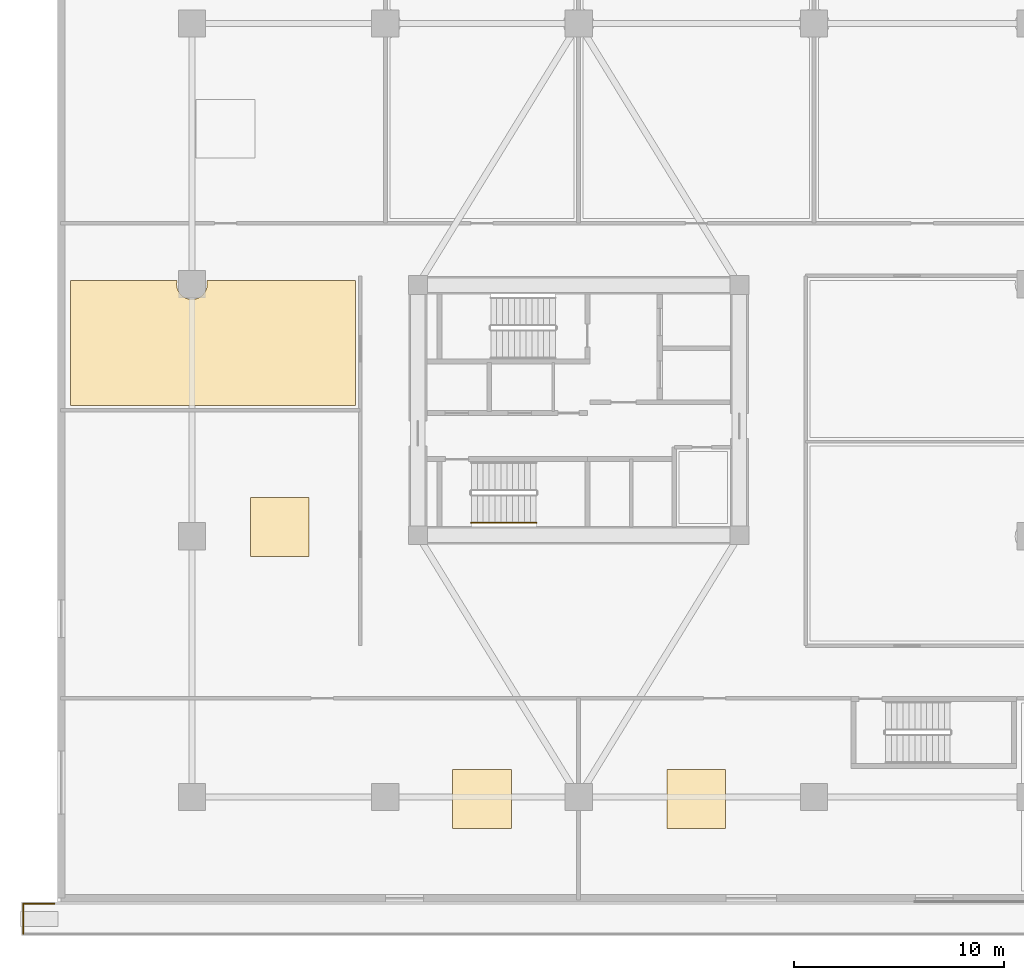
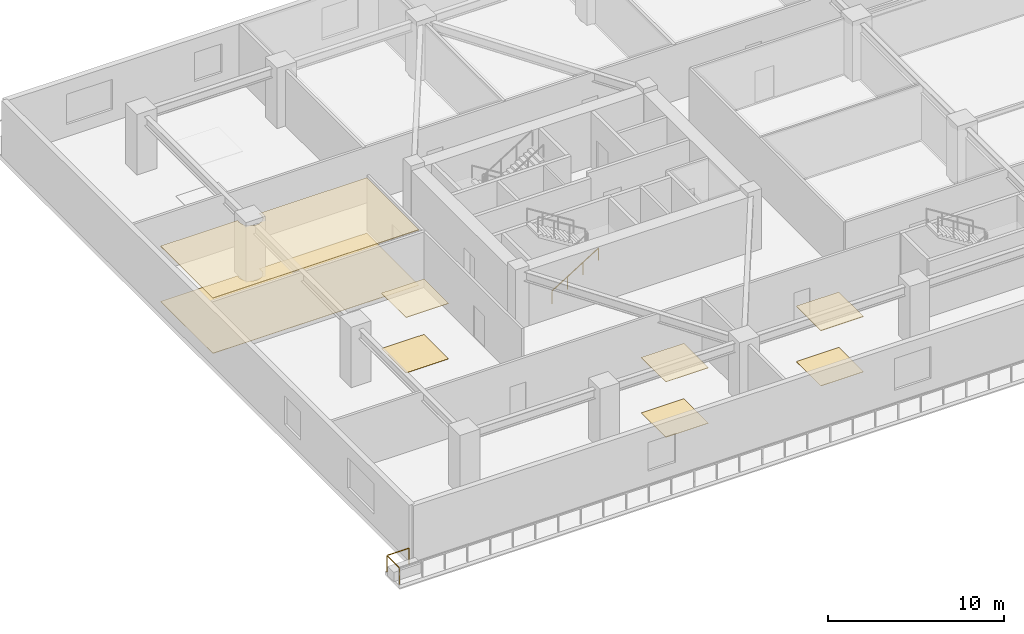
# One storey, part 13 of 22: 8 coverings, 2 railings.
"""IFC4 building model written with IfcOpenShell, lengths in metres."""

from ifc_helpers import new_model, si_unit, direction, frame, origin, origin_2d, place, context, subcontext, project, spatial, polyline, rectangle, outline, extrude, material, layer, layer_set, type_object, element, save


model = new_model("IFC4")

# Units and contexts
model_context = context("Model", 3, precision=1e-05, world=origin(), true_north=direction((0.0, 1.0)))
body_context = subcontext(model_context, "Body", "Model", "MODEL_VIEW")
ifc_project = project(units=[si_unit("LENGTHUNIT", "METRE"), si_unit("AREAUNIT", "SQUARE_METRE"), si_unit("VOLUMEUNIT", "CUBIC_METRE"), si_unit("PLANEANGLEUNIT", "RADIAN"), si_unit("MASSUNIT", "GRAM", prefix="KILO")], contexts=[model_context])

# Site, building, storey
site_placement = place(None, origin())
site = spatial("IfcSite", under=ifc_project, at=site_placement, CompositionType="ELEMENT")
building_placement = place(site_placement, origin())
building = spatial("IfcBuilding", under=site, at=building_placement, Name="Norrkilde Senior Care Towers", CompositionType="ELEMENT")
storey_placement = place(building_placement, frame((0.0, 0.0, 4.199951171875)))
storey = spatial("IfcBuildingStorey", under=building, at=storey_placement, Name="L01", CompositionType="ELEMENT", Elevation=4.199951171875)

# Coverings
ifc_material_1 = material(Name="Nordic Ash Timber", Category="wood")
ifc_layer_1 = layer(ifc_material_1, 0.044921875)
ifc_layer_set_1 = layer_set([ifc_layer_1], Name="Nordic Ash Timber")
covering_type_1 = type_object("IfcCoveringType", Name="Acoustic Ash Timber Slatted Ceiling 45", PredefinedType="CEILING", material=ifc_layer_set_1)
covering_1_placement = place(storey_placement, frame((0.0, 0.0, 3.8349609375)))
element("IfcCovering", 1, at=covering_1_placement, inside=storey, type_object=covering_type_1, Name="L01 Suspended Ceiling 0023", PredefinedType="CEILING", context=body_context, shape_type="SweptSolid", body=[
    extrude(outline(polyline([(-38.6201171875, 0.219970703125), (-52.179931640625, 0.219970703125), (-52.179931640625, 6.179931640625), (-47.106201171875, 6.179931640625), (-47.1298828125, 6.0), (-47.105224609375, 5.81103515625), (-47.0322265625, 5.635009765625), (-46.916259765625, 5.48388671875), (-46.764892578125, 5.367919921875), (-46.5888671875, 5.294921875), (-46.39990234375, 5.27001953125), (-46.211181640625, 5.294921875), (-46.034912109375, 5.367919921875), (-45.8837890625, 5.48388671875), (-45.767822265625, 5.635009765625), (-45.69482421875, 5.81103515625), (-45.669921875, 6.0), (-45.693603515625, 6.179931640625), (-38.6201171875, 6.179931640625), (-38.6201171875, 0.219970703125)])), origin(), (0.0, 0.0, 1.0), 0.045166015625),
])
covering_2_placement = place(storey_placement, frame((0.0, 0.0, 3.8349609375)))
element("IfcCovering", 2, at=covering_2_placement, inside=storey, type_object=covering_type_1, Name="L01 Suspended Ceiling 0042", PredefinedType="CEILING", context=body_context, shape_type="SweptSolid", body=[
    extrude(outline(polyline([(-23.800048828125, -19.89453125), (-23.800048828125, -17.094482421875), (-21.0, -17.094482421875), (-21.0, -19.89453125), (-23.800048828125, -19.89453125)])), origin(), (0.0, 0.0, 1.0), 0.045166015625),
])

# Railing
ifc_material_2 = material(Name="Anodised Aluminium", Category="aluminium")
railing_type_1 = type_object("IfcRailingType", Name="Balcony Swirl Ribbon Guardrail 1150", PredefinedType="GUARDRAIL", material=ifc_material_2)
railing_1_placement = place(storey_placement, frame((-54.419921875, -24.919921875, 0.0)))
element("IfcRailing", 3, at=railing_1_placement, inside=storey, type_object=railing_type_1, Name="L01 Perimeter Safety Guard 01", PredefinedType="GUARDRAIL", context=body_context, shape_type="SweptSolid", body=[
    extrude(rectangle(XDim=0.048095703125, YDim=0.048095703125, at=origin_2d()), frame((0.0, 0.0, 1.1259765625), z_axis=(0.0, 1.0, 0.0), x_axis=(-1.0, 0.0, 0.0)), (0.0, 0.0, 1.0), 1.39404296875),
    extrude(rectangle(XDim=0.048095703125, YDim=0.048095703125, at=origin_2d()), frame((0.040771484375, 1.434814453125, 1.1259765625), z_axis=(1.0, 0.0, 0.0), x_axis=(0.0, 1.0, 0.0)), (0.0, 0.0, 1.0), 1.42041015625),
    extrude(rectangle(XDim=0.0419921875, YDim=0.0419921875, at=origin_2d()), origin(), (0.0, 0.0, 1.0), 1.099853515625),
    extrude(rectangle(XDim=0.0419921875, YDim=0.0419921875, at=origin_2d()), frame((0.0, 1.434814453125, 0.0)), (0.0, 0.0, 1.0), 1.099853515625),
    extrude(rectangle(XDim=0.0419921875, YDim=0.0419921875, at=origin_2d()), frame((1.461181640625, 1.434814453125, 0.0)), (0.0, 0.0, 1.0), 1.099853515625),
])

# Coverings
ifc_material_3 = material(Name="Gypsum Acoustic Board")
ifc_layer_2 = layer(ifc_material_3, 0.030029296875)
ifc_layer_set_2 = layer_set([ifc_layer_2], Name="Gypsum Acoustic Board")
covering_type_2 = type_object("IfcCoveringType", Name="Medical Cleanable Gypsum Ceiling 30", PredefinedType="CEILING", material=ifc_layer_set_2)
covering_3_placement = place(storey_placement, frame((0.0, 0.0, 3.85009765625)))
element("IfcCovering", 4, at=covering_3_placement, inside=storey, type_object=covering_type_2, Name="L01 Suspended Ceiling 0022", PredefinedType="CEILING", context=body_context, shape_type="SweptSolid", body=[
    extrude(outline(polyline([(-43.622802734375, -6.95947265625), (-43.622802734375, -4.159423828125), (-40.822998046875, -4.159423828125), (-40.822998046875, -6.95947265625), (-43.622802734375, -6.95947265625)])), origin(), (0.0, 0.0, 1.0), 0.030029296875),
])
covering_4_placement = place(storey_placement, frame((0.0, 0.0, 3.85009765625)))
element("IfcCovering", 5, at=covering_4_placement, inside=storey, type_object=covering_type_2, Name="L01 Suspended Ceiling 0041", PredefinedType="CEILING", context=body_context, shape_type="SweptSolid", body=[
    extrude(outline(polyline([(-34.0, -19.89453125), (-34.0, -17.094482421875), (-31.199951171875, -17.094482421875), (-31.199951171875, -19.89453125), (-34.0, -19.89453125)])), origin(), (0.0, 0.0, 1.0), 0.030029296875),
])
ifc_material_4 = material(Name="Slip-Resistant Porcelain Stone", Category="masonry")
ifc_layer_3 = layer(ifc_material_4, 0.02490234375)
ifc_layer_set_3 = layer_set([ifc_layer_3], Name="Slip-Resistant Porcelain Stone")
covering_type_3 = type_object("IfcCoveringType", Name="Slip-Resistant Porcelain Flooring 25", PredefinedType="FLOORING", material=ifc_layer_set_3)
covering_5_placement = place(storey_placement, origin())
element("IfcCovering", 6, at=covering_5_placement, inside=storey, type_object=covering_type_3, Name="L01 Floor Finish 0022", PredefinedType="FLOORING", context=body_context, shape_type="SweptSolid", body=[
    extrude(outline(polyline([(-43.622802734375, -6.95947265625), (-43.622802734375, -4.159423828125), (-40.822998046875, -4.159423828125), (-40.822998046875, -6.95947265625), (-43.622802734375, -6.95947265625)])), origin(), (0.0, 0.0, 1.0), 0.025146484375),
])
covering_6_placement = place(storey_placement, origin())
element("IfcCovering", 7, at=covering_6_placement, inside=storey, type_object=covering_type_3, Name="L01 Floor Finish 0023", PredefinedType="FLOORING", context=body_context, shape_type="SweptSolid", body=[
    extrude(outline(polyline([(-38.6201171875, 0.219970703125), (-52.179931640625, 0.219970703125), (-52.179931640625, 6.179931640625), (-47.106201171875, 6.179931640625), (-47.1298828125, 6.0), (-47.105224609375, 5.81103515625), (-47.0322265625, 5.635009765625), (-46.916259765625, 5.48388671875), (-46.764892578125, 5.367919921875), (-46.5888671875, 5.294921875), (-46.39990234375, 5.27001953125), (-46.211181640625, 5.294921875), (-46.034912109375, 5.367919921875), (-45.8837890625, 5.48388671875), (-45.767822265625, 5.635009765625), (-45.69482421875, 5.81103515625), (-45.669921875, 6.0), (-45.693603515625, 6.179931640625), (-38.6201171875, 6.179931640625), (-38.6201171875, 0.219970703125)])), origin(), (0.0, 0.0, 1.0), 0.025146484375),
])
covering_7_placement = place(storey_placement, origin())
element("IfcCovering", 8, at=covering_7_placement, inside=storey, type_object=covering_type_3, Name="L01 Floor Finish 0041", PredefinedType="FLOORING", context=body_context, shape_type="SweptSolid", body=[
    extrude(outline(polyline([(-34.0, -19.89453125), (-34.0, -17.094482421875), (-31.199951171875, -17.094482421875), (-31.199951171875, -19.89453125), (-34.0, -19.89453125)])), origin(), (0.0, 0.0, 1.0), 0.025146484375),
])
covering_8_placement = place(storey_placement, origin())
element("IfcCovering", 9, at=covering_8_placement, inside=storey, type_object=covering_type_3, Name="L01 Floor Finish 0042", PredefinedType="FLOORING", context=body_context, shape_type="SweptSolid", body=[
    extrude(outline(polyline([(-23.800048828125, -19.89453125), (-23.800048828125, -17.094482421875), (-21.0, -17.094482421875), (-21.0, -19.89453125), (-23.800048828125, -19.89453125)])), origin(), (0.0, 0.0, 1.0), 0.025146484375),
])

# Railing
railing_type_2 = type_object("IfcRailingType", Name="Wall and Stair Handrail 900", PredefinedType="HANDRAIL", material=ifc_material_1)
railing_2_placement = place(storey_placement, frame((-33.10009765625, -5.35009765625, 0.175048828125)))
element("IfcRailing", 10, at=railing_2_placement, inside=storey, type_object=railing_type_2, Name="L01 ST-W2 stair handrail 1", PredefinedType="HANDRAIL", context=body_context, shape_type="SweptSolid", body=[
    extrude(rectangle(XDim=0.048095703125, YDim=0.048095703125, at=origin_2d()), frame((0.0, 0.0, 0.8759765625), z_axis=(0.847998304005, 0.0, 0.529998940003), x_axis=(0.0, 1.0, 0.0)), (0.0, 0.0, 1.0), 3.632080078125),
    extrude(rectangle(XDim=0.0419921875, YDim=0.0419921875, at=origin_2d()), origin(), (0.0, 0.0, 1.0), 0.849853515625),
    extrude(rectangle(XDim=0.0419921875, YDim=0.0419921875, at=origin_2d()), frame((1.026611328125, 0.0, 0.6416015625)), (0.0, 0.0, 1.0), 0.849853515625),
    extrude(rectangle(XDim=0.0419921875, YDim=0.0419921875, at=origin_2d()), frame((2.053466796875, 0.0, 1.283447265625)), (0.0, 0.0, 1.0), 0.849853515625),
    extrude(rectangle(XDim=0.0419921875, YDim=0.0419921875, at=origin_2d()), frame((3.080078125, 0.0, 1.925048828125)), (0.0, 0.0, 1.0), 0.849853515625),
])

save(model, "model.ifc")
